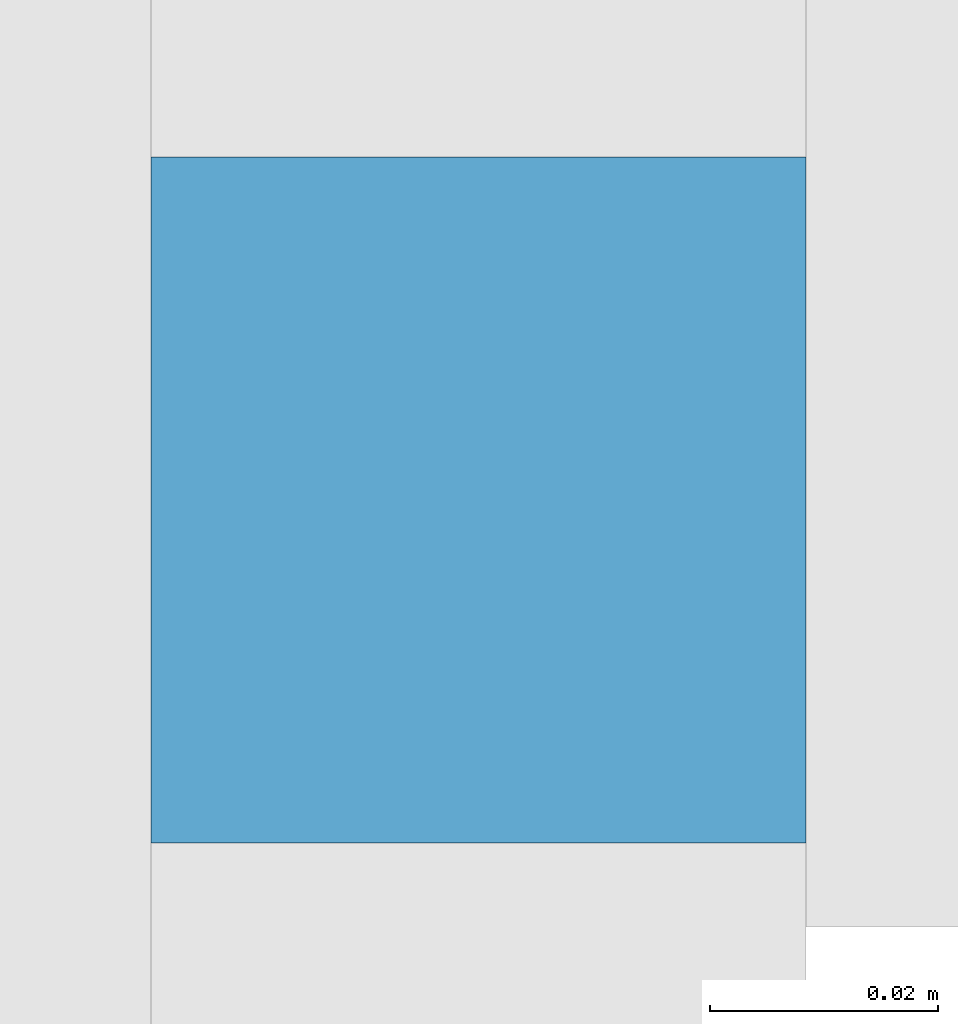
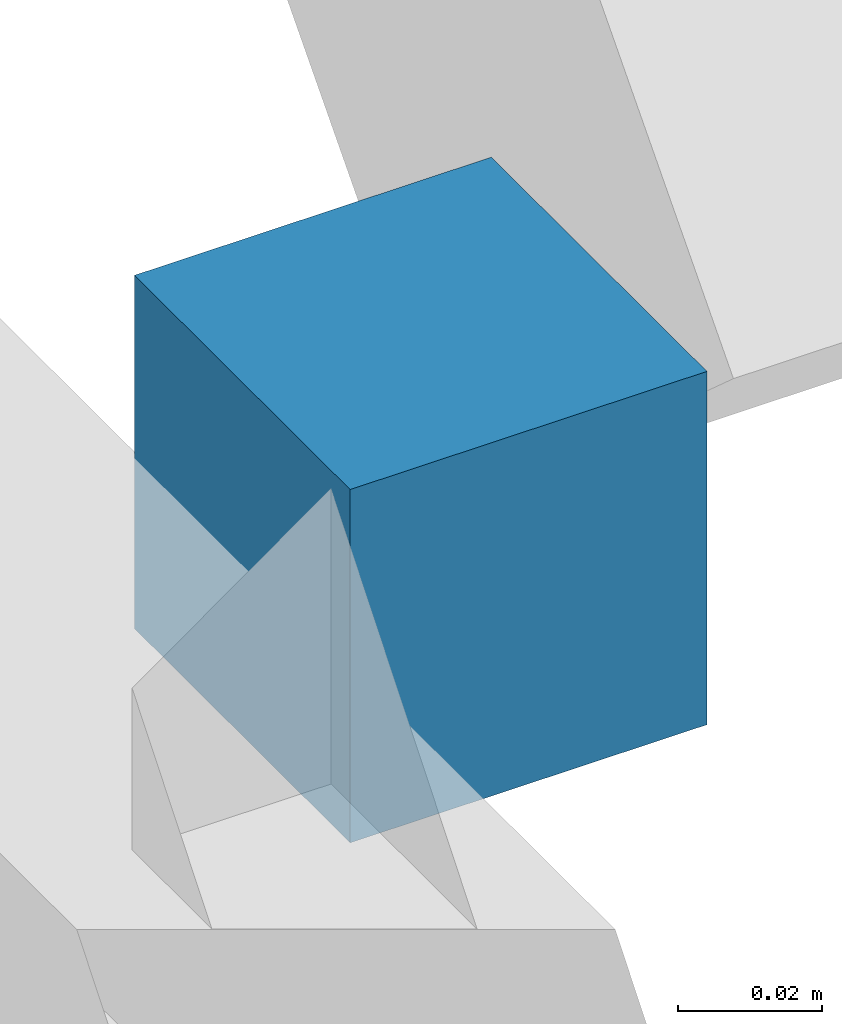
# One storey, part 96 of 110: 1 discrete accessory, 1 element without a shape of its own.
"""IFC4 building model written with IfcOpenShell, lengths in metres."""

from ifc_helpers import new_model, si_unit, direction, frame, origin, origin_2d, place, context, subcontext, project, spatial, rectangle, extrude, material, layer, layer_set, type_object, element, aggregate, save


model = new_model("IFC4")

# Units and contexts
model_context = context("Model", 3, precision=1e-05, world=origin(), true_north=direction((0.0, 1.0)))
body_context = subcontext(model_context, "Body", "Model", "MODEL_VIEW")
ifc_project = project(units=[si_unit("LENGTHUNIT", "METRE"), si_unit("AREAUNIT", "SQUARE_METRE"), si_unit("VOLUMEUNIT", "CUBIC_METRE"), si_unit("PLANEANGLEUNIT", "RADIAN"), si_unit("MASSUNIT", "GRAM", prefix="KILO")], contexts=[model_context])

# Site, building, storey
site_placement = place(None, origin())
site = spatial("IfcSite", under=ifc_project, at=site_placement, CompositionType="ELEMENT")
building_placement = place(site_placement, origin())
building = spatial("IfcBuilding", under=site, at=building_placement, Name="Windward Yard Aquatics Centre", CompositionType="ELEMENT")
storey_placement = place(building_placement, frame((0.0, 0.0, 22.60009765625)))
storey = spatial("IfcBuildingStorey", under=building, at=storey_placement, Name="L05", CompositionType="ELEMENT", Elevation=22.60009765625)

# Curtain wall, discrete accessory
ifc_material = material(Name="Glass and aluminium curtain wall", Category="aluminium")
ifc_layer = layer(ifc_material, 0.179931640625)
ifc_layer_set = layer_set([ifc_layer], Name="H gable glazing system double glazed 8+16+8")
curtain_wall_type = type_object("IfcCurtainWallType", Name="H gable glazing system double glazed 8+16+8", PredefinedType="NOTDEFINED", material=ifc_layer_set)
curtain_wall_placement = place(storey_placement, origin())
curtain_wall = element("IfcCurtainWall", 1, at=curtain_wall_placement, inside=storey, type_object=curtain_wall_type, Name="Gable glazing E", PredefinedType="NOTDEFINED")
discrete_accessory_placement = place(storey_placement, frame((144.62255859375, 41.68896484375, 0.099853515625), z_axis=(1.0, 0.0, 0.0), x_axis=(0.0, 1.0, 0.0)))
discrete_accessory = element("IfcDiscreteAccessory", 2, at=discrete_accessory_placement, Name="Gable cover strip bracket 1.1", PredefinedType="BRACKET", context=body_context, shape_type="SweptSolid", body=[
    extrude(rectangle(XDim=0.06005859375, YDim=0.06005859375, at=origin_2d()), origin(), (0.0, 0.0, 1.0), 0.057373046875),
])
aggregate(curtain_wall, [discrete_accessory])

save(model, "model.ifc")
